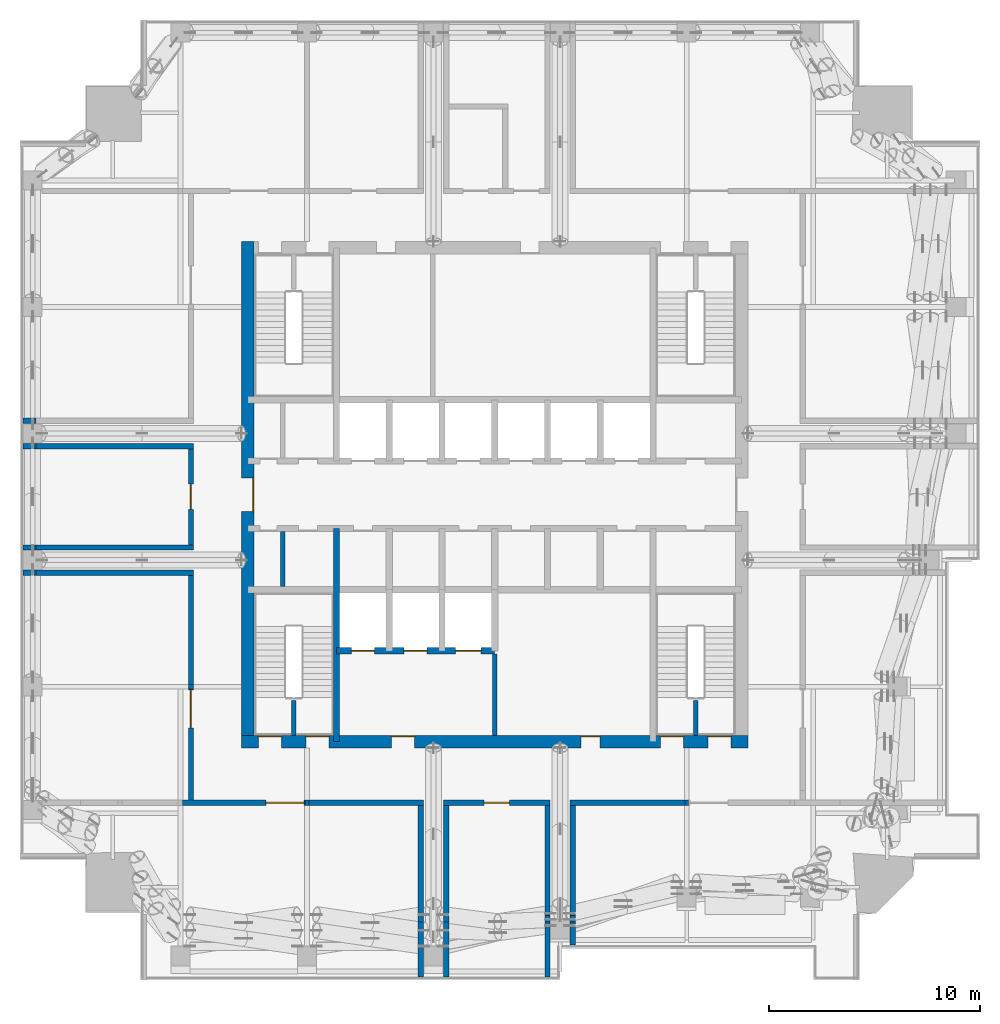
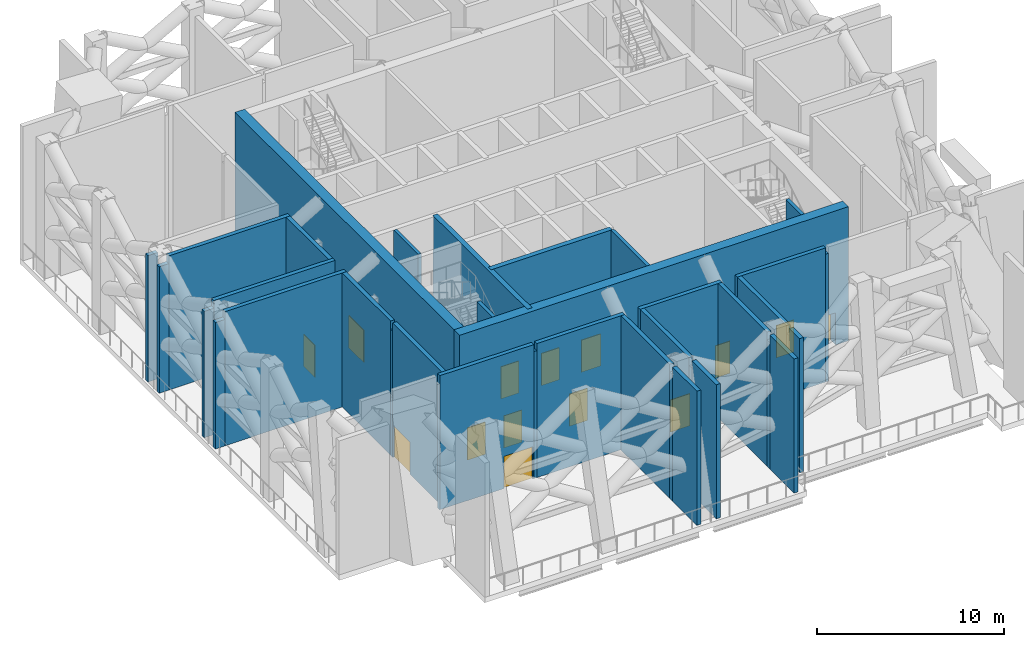
# One storey, part 7 of 18: 37 walls, 14 doors, 14 openings.
"""IFC4 building model written with IfcOpenShell, lengths in metres."""

from ifc_helpers import new_model, si_unit, direction, frame, frame_2d, origin, place, context, subcontext, project, spatial, rectangle, extrude, material, layer, layer_set, type_object, element, fill, save


model = new_model("IFC4")

# Units and contexts
model_context = context("Model", 3, precision=1e-05, world=origin(), true_north=direction((0.0, 1.0)))
body_context = subcontext(model_context, "Body", "Model", "MODEL_VIEW")
ifc_project = project(units=[si_unit("LENGTHUNIT", "METRE"), si_unit("AREAUNIT", "SQUARE_METRE"), si_unit("VOLUMEUNIT", "CUBIC_METRE"), si_unit("PLANEANGLEUNIT", "RADIAN"), si_unit("MASSUNIT", "GRAM", prefix="KILO")], contexts=[model_context])

# Site, building, storey
site_placement = place(None, origin())
site = spatial("IfcSite", under=ifc_project, at=site_placement, CompositionType="ELEMENT")
building_placement = place(site_placement, origin())
building = spatial("IfcBuilding", under=site, at=building_placement, Name="Amberfall Residences", CompositionType="ELEMENT")
storey_placement = place(building_placement, frame((0.0, 0.0, 229.89990234375)))
storey = spatial("IfcBuildingStorey", under=building, at=storey_placement, Name="L62", CompositionType="ELEMENT", Elevation=229.89990234375)

# Wall, opening, door
ifc_material_1 = material(Name="Reinforced concrete C40", Category="concrete")
ifc_layer_1 = layer(ifc_material_1, 0.25)
ifc_layer_set_1 = layer_set([ifc_layer_1], Name="Compartment wall 250")
wall_type_1 = type_object("IfcWallType", Name="Compartment wall 250", PredefinedType="SOLIDWALL", material=ifc_layer_set_1)
wall_1_placement = place(storey_placement, frame((59.70458984375, 30.89990234375, 0.0), z_axis=(0.0, 0.0, 1.0), x_axis=(1.0, 0.0, 0.0)))
wall_1 = element("IfcWall", 1, at=wall_1_placement, inside=storey, type_object=wall_type_1, Name="Compartment wall 250 L62 006", PredefinedType="SOLIDWALL", context=body_context, shape_type="SweptSolid", body=[
    extrude(rectangle(XDim=5.7998046875, YDim=0.25, at=frame_2d((2.89990234375, 0.0))), origin(), (0.0, 0.0, 1.0), 8.75),
])
opening_1_placement = place(wall_1_placement, frame((3.9453125, 0.0, 0.0)))
opening_1 = element("IfcOpeningElement", 2, at=opening_1_placement, cuts=wall_1, Name="Opening D13", PredefinedType="OPENING", context=body_context, shape_type="SweptSolid", body=[
    extrude(rectangle(XDim=1.800048828125, YDim=2.10009765625, at=frame_2d((0.89990234375, 1.050048828125))), frame((0.0, 0.135009765625, 0.0), z_axis=(0.0, -1.0, 0.0), x_axis=(1.0, 0.0, 0.0)), (0.0, 0.0, 1.0), 0.27001953125),
])
ifc_material_2 = material(Name="Steel fire door leaf", Category="steel")
door_type_1 = type_object("IfcDoorType", Name="Double fire door 1800x2100 FD60", OperationType="DOUBLE_DOOR_SINGLE_SWING", PredefinedType="DOOR", material=ifc_material_2)
door_1_placement = place(opening_1_placement, origin())
door_1 = element("IfcDoor", 3, at=door_1_placement, inside=storey, type_object=door_type_1, Name="Door Refuge area 1", OperationType="DOUBLE_DOOR_SINGLE_SWING", OverallHeight=2.10009765625, OverallWidth=1.800048828125, PredefinedType="DOOR", context=body_context, shape_type="SweptSolid", body=[
    extrude(rectangle(XDim=1.800048828125, YDim=2.10009765625, at=frame_2d((0.89990234375, 1.050048828125))), frame((0.0, 0.02490234375, 0.0), z_axis=(0.0, -1.0, 0.0), x_axis=(1.0, 0.0, 0.0)), (0.0, 0.0, 1.0), 0.050048828125),
])
fill(opening_1, door_1)

# Walls
wall_2_placement = place(storey_placement, frame((65.50439453125, 30.89990234375, 0.0), z_axis=(0.0, 0.0, 1.0), x_axis=(1.0, 0.0, 0.0)))
element("IfcWall", 4, at=wall_2_placement, inside=storey, type_object=wall_type_1, Name="Compartment wall 250 L62 007", PredefinedType="SOLIDWALL", context=body_context, shape_type="SweptSolid", body=[
    extrude(rectangle(XDim=0.19140625, YDim=0.25, at=frame_2d((0.095703125, 0.0))), origin(), (0.0, 0.0, 1.0), 8.2900390625),
])
wall_3_placement = place(storey_placement, frame((65.69580078125, 30.89990234375, 0.0), z_axis=(0.0, 0.0, 1.0), x_axis=(1.0, 0.0, 0.0)))
element("IfcWall", 5, at=wall_3_placement, inside=storey, type_object=wall_type_1, Name="Compartment wall 250 L62 008", PredefinedType="SOLIDWALL", context=body_context, shape_type="SweptSolid", body=[
    extrude(rectangle(XDim=5.42919921875, YDim=0.25, at=frame_2d((2.714599609375, 0.0))), origin(), (0.0, 0.0, 1.0), 8.75),
])

# Wall, opening, door
wall_4_placement = place(storey_placement, frame((72.074951171875, 30.89990234375, 0.0), z_axis=(0.0, 0.0, 1.0), x_axis=(1.0, 0.0, 0.0)))
wall_4 = element("IfcWall", 6, at=wall_4_placement, inside=storey, type_object=wall_type_1, Name="Compartment wall 250 L62 009", PredefinedType="SOLIDWALL", context=body_context, shape_type="SweptSolid", body=[
    extrude(rectangle(XDim=5.050048828125, YDim=0.25, at=frame_2d((2.52490234375, 0.0))), origin(), (0.0, 0.0, 1.0), 8.75),
])
opening_2_placement = place(wall_4_placement, frame((1.925048828125, 0.0, 0.0)))
opening_2 = element("IfcOpeningElement", 7, at=opening_2_placement, cuts=wall_4, Name="Opening D6", PredefinedType="OPENING", context=body_context, shape_type="SweptSolid", body=[
    extrude(rectangle(XDim=1.199951171875, YDim=2.10009765625, at=frame_2d((0.60009765625, 1.050048828125))), frame((0.0, 0.135009765625, 0.0), z_axis=(0.0, -1.0, 0.0), x_axis=(1.0, 0.0, 0.0)), (0.0, 0.0, 1.0), 0.27001953125),
])
door_type_2 = type_object("IfcDoorType", Name="Exit door 1200x2100", OperationType="SINGLE_SWING_LEFT", PredefinedType="DOOR", material=ifc_material_2)
door_2_placement = place(opening_2_placement, origin())
door_2 = element("IfcDoor", 8, at=door_2_placement, inside=storey, type_object=door_type_2, Name="Door Refuge area 2", OperationType="SINGLE_SWING_LEFT", OverallHeight=2.10009765625, OverallWidth=1.199951171875, PredefinedType="DOOR", context=body_context, shape_type="SweptSolid", body=[
    extrude(rectangle(XDim=1.199951171875, YDim=2.10009765625, at=frame_2d((0.60009765625, 1.050048828125))), frame((0.0, 0.02490234375, 0.0), z_axis=(0.0, -1.0, 0.0), x_axis=(1.0, 0.0, 0.0)), (0.0, 0.0, 1.0), 0.050048828125),
])
fill(opening_2, door_2)

# Walls
wall_5_placement = place(storey_placement, frame((78.074951171875, 30.89990234375, 0.0), z_axis=(0.0, 0.0, 1.0), x_axis=(1.0, 0.0, 0.0)))
element("IfcWall", 9, at=wall_5_placement, inside=storey, type_object=wall_type_1, Name="Compartment wall 250 L62 010", PredefinedType="SOLIDWALL", context=body_context, shape_type="SweptSolid", body=[
    extrude(rectangle(XDim=5.436279296875, YDim=0.25, at=frame_2d((2.71826171875, 0.0))), origin(), (0.0, 0.0, 1.0), 8.75),
])
wall_6_placement = place(storey_placement, frame((83.51123046875, 30.89990234375, 0.0), z_axis=(0.0, 0.0, 1.0), x_axis=(1.0, 0.0, 0.0)))
element("IfcWall", 10, at=wall_6_placement, inside=storey, type_object=wall_type_1, Name="Compartment wall 250 L62 011", PredefinedType="SOLIDWALL", context=body_context, shape_type="SweptSolid", body=[
    extrude(rectangle(XDim=0.177490234375, YDim=0.25, at=frame_2d((0.0888671875, 0.0))), origin(), (0.0, 0.0, 1.0), 8.34716796875),
])
wall_7_placement = place(storey_placement, frame((52.14990234375, 41.800048828125, 0.0), z_axis=(0.0, 0.0, 1.0), x_axis=(1.0, 0.0, 0.0)))
element("IfcWall", 11, at=wall_7_placement, inside=storey, type_object=wall_type_1, Name="Compartment wall 250 L62 017", PredefinedType="SOLIDWALL", context=body_context, shape_type="SweptSolid", body=[
    extrude(rectangle(XDim=0.60009765625, YDim=0.25, at=frame_2d((0.300048828125, 0.0))), origin(), (0.0, 0.0, 1.0), 8.25),
])
wall_8_placement = place(storey_placement, frame((52.75, 41.800048828125, 0.0), z_axis=(0.0, 0.0, 1.0), x_axis=(1.0, 0.0, 0.0)))
element("IfcWall", 12, at=wall_8_placement, inside=storey, type_object=wall_type_1, Name="Compartment wall 250 L62 018", PredefinedType="SOLIDWALL", context=body_context, shape_type="SweptSolid", body=[
    extrude(rectangle(XDim=7.47509765625, YDim=0.25, at=frame_2d((3.737548828125, 0.0))), origin(), (0.0, 0.0, 1.0), 8.75),
])
wall_9_placement = place(storey_placement, frame((52.14990234375, 43.0, 0.0), z_axis=(0.0, 0.0, 1.0), x_axis=(1.0, 0.0, 0.0)))
element("IfcWall", 13, at=wall_9_placement, inside=storey, type_object=wall_type_1, Name="Compartment wall 250 L62 022", PredefinedType="SOLIDWALL", context=body_context, shape_type="SweptSolid", body=[
    extrude(rectangle(XDim=0.60009765625, YDim=0.25, at=frame_2d((0.300048828125, 0.0))), origin(), (0.0, 0.0, 1.0), 8.25),
])
wall_10_placement = place(storey_placement, frame((52.75, 43.0, 0.0), z_axis=(0.0, 0.0, 1.0), x_axis=(1.0, 0.0, 0.0)))
element("IfcWall", 14, at=wall_10_placement, inside=storey, type_object=wall_type_1, Name="Compartment wall 250 L62 023", PredefinedType="SOLIDWALL", context=body_context, shape_type="SweptSolid", body=[
    extrude(rectangle(XDim=7.47509765625, YDim=0.25, at=frame_2d((3.737548828125, 0.0))), origin(), (0.0, 0.0, 1.0), 8.75),
])
wall_11_placement = place(storey_placement, frame((52.14990234375, 47.800048828125, 0.0), z_axis=(0.0, 0.0, 1.0), x_axis=(1.0, 0.0, 0.0)))
element("IfcWall", 15, at=wall_11_placement, inside=storey, type_object=wall_type_1, Name="Compartment wall 250 L62 027", PredefinedType="SOLIDWALL", context=body_context, shape_type="SweptSolid", body=[
    extrude(rectangle(XDim=0.60009765625, YDim=0.25, at=frame_2d((0.300048828125, 0.0))), origin(), (0.0, 0.0, 1.0), 8.25),
])
wall_12_placement = place(storey_placement, frame((52.75, 47.800048828125, 0.0), z_axis=(0.0, 0.0, 1.0), x_axis=(1.0, 0.0, 0.0)))
element("IfcWall", 16, at=wall_12_placement, inside=storey, type_object=wall_type_1, Name="Compartment wall 250 L62 028", PredefinedType="SOLIDWALL", context=body_context, shape_type="SweptSolid", body=[
    extrude(rectangle(XDim=7.47509765625, YDim=0.25, at=frame_2d((3.737548828125, 0.0))), origin(), (0.0, 0.0, 1.0), 8.75),
])
wall_13_placement = place(storey_placement, frame((52.14990234375, 49.0, 0.0), z_axis=(0.0, 0.0, 1.0), x_axis=(1.0, 0.0, 0.0)))
element("IfcWall", 17, at=wall_13_placement, inside=storey, type_object=wall_type_1, Name="Compartment wall 250 L62 032", PredefinedType="SOLIDWALL", context=body_context, shape_type="SweptSolid", body=[
    extrude(rectangle(XDim=0.60009765625, YDim=0.25, at=frame_2d((0.300048828125, 0.0))), origin(), (0.0, 0.0, 1.0), 8.25),
])

# Wall, opening, door
wall_14_placement = place(storey_placement, frame((60.10009765625, 31.02490234375, 0.0), z_axis=(0.0, 0.0, 1.0), x_axis=(0.0, 1.0, 0.0)))
wall_14 = element("IfcWall", 18, at=wall_14_placement, inside=storey, type_object=wall_type_1, Name="Compartment wall 250 L62 051", PredefinedType="SOLIDWALL", context=body_context, shape_type="SweptSolid", body=[
    extrude(rectangle(XDim=5.2705078125, YDim=0.25, at=frame_2d((2.63525390625, 0.0))), origin(), (0.0, 0.0, 1.0), 8.75),
])
opening_3_placement = place(wall_14_placement, frame((3.425048828125, 0.0, 0.0)))
opening_3 = element("IfcOpeningElement", 19, at=opening_3_placement, cuts=wall_14, Name="Opening D13", PredefinedType="OPENING", context=body_context, shape_type="SweptSolid", body=[
    extrude(rectangle(XDim=1.800048828125, YDim=2.10009765625, at=frame_2d((0.89990234375, 1.050048828125))), frame((0.0, 0.135009765625, 0.0), z_axis=(0.0, -1.0, 0.0), x_axis=(1.0, 0.0, 0.0)), (0.0, 0.0, 1.0), 0.27001953125),
])
door_3_placement = place(opening_3_placement, origin())
door_3 = element("IfcDoor", 20, at=door_3_placement, inside=storey, type_object=door_type_1, Name="Door Refuge area 8", OperationType="DOUBLE_DOOR_SINGLE_SWING", OverallHeight=2.10009765625, OverallWidth=1.800048828125, PredefinedType="DOOR", context=body_context, shape_type="SweptSolid", body=[
    extrude(rectangle(XDim=1.800048828125, YDim=2.10009765625, at=frame_2d((0.89990234375, 1.050048828125))), frame((0.0, 0.02490234375, 0.0), z_axis=(0.0, -1.0, 0.0), x_axis=(1.0, 0.0, 0.0)), (0.0, 0.0, 1.0), 0.050048828125),
])
fill(opening_3, door_3)

# Walls
wall_15_placement = place(storey_placement, frame((60.10009765625, 36.29541015625, 0.0), z_axis=(0.0, 0.0, 1.0), x_axis=(0.0, 1.0, 0.0)))
element("IfcWall", 21, at=wall_15_placement, inside=storey, type_object=wall_type_1, Name="Compartment wall 250 L62 052", PredefinedType="SOLIDWALL", context=body_context, shape_type="SweptSolid", body=[
    extrude(rectangle(XDim=0.209228515625, YDim=0.25, at=frame_2d((0.1044921875, 0.0))), origin(), (0.0, 0.0, 1.0), 8.217041015625),
])
wall_16_placement = place(storey_placement, frame((60.10009765625, 36.504638671875, 0.0), z_axis=(0.0, 0.0, 1.0), x_axis=(0.0, 1.0, 0.0)))
element("IfcWall", 22, at=wall_16_placement, inside=storey, type_object=wall_type_1, Name="Compartment wall 250 L62 053", PredefinedType="SOLIDWALL", context=body_context, shape_type="SweptSolid", body=[
    extrude(rectangle(XDim=5.17041015625, YDim=0.25, at=frame_2d((2.585205078125, 0.0))), origin(), (0.0, 0.0, 1.0), 8.75),
])

# Wall, opening, door
wall_17_placement = place(storey_placement, frame((60.10009765625, 43.125, 0.0), z_axis=(0.0, 0.0, 1.0), x_axis=(0.0, 1.0, 0.0)))
wall_17 = element("IfcWall", 23, at=wall_17_placement, inside=storey, type_object=wall_type_1, Name="Compartment wall 250 L62 054", PredefinedType="SOLIDWALL", context=body_context, shape_type="SweptSolid", body=[
    extrude(rectangle(XDim=4.550048828125, YDim=0.25, at=frame_2d((2.27490234375, 0.0))), origin(), (0.0, 0.0, 1.0), 8.75),
])
opening_4_placement = place(wall_17_placement, frame((1.675048828125, 0.0, 0.0)))
opening_4 = element("IfcOpeningElement", 24, at=opening_4_placement, cuts=wall_17, Name="Opening D6", PredefinedType="OPENING", context=body_context, shape_type="SweptSolid", body=[
    extrude(rectangle(XDim=1.199951171875, YDim=2.10009765625, at=frame_2d((0.60009765625, 1.050048828125))), frame((0.0, 0.135009765625, 0.0), z_axis=(0.0, -1.0, 0.0), x_axis=(1.0, 0.0, 0.0)), (0.0, 0.0, 1.0), 0.27001953125),
])
door_4_placement = place(opening_4_placement, origin())
door_4 = element("IfcDoor", 25, at=door_4_placement, inside=storey, type_object=door_type_2, Name="Door Refuge area 9", OperationType="SINGLE_SWING_LEFT", OverallHeight=2.10009765625, OverallWidth=1.199951171875, PredefinedType="DOOR", context=body_context, shape_type="SweptSolid", body=[
    extrude(rectangle(XDim=1.199951171875, YDim=2.10009765625, at=frame_2d((0.60009765625, 1.050048828125))), frame((0.0, 0.02490234375, 0.0), z_axis=(0.0, -1.0, 0.0), x_axis=(1.0, 0.0, 0.0)), (0.0, 0.0, 1.0), 0.050048828125),
])
fill(opening_4, door_4)

# Walls
wall_18_placement = place(storey_placement, frame((71.0, 22.64990234375, 0.0), z_axis=(0.0, 0.0, 1.0), x_axis=(0.0, 1.0, 0.0)))
element("IfcWall", 26, at=wall_18_placement, inside=storey, type_object=wall_type_1, Name="Compartment wall 250 L62 059", PredefinedType="SOLIDWALL", context=body_context, shape_type="SweptSolid", body=[
    extrude(rectangle(XDim=2.60009765625, YDim=0.25, at=frame_2d((1.300048828125, 0.0))), origin(), (0.0, 0.0, 1.0), 8.75),
])
wall_19_placement = place(storey_placement, frame((71.0, 25.25, 0.0), z_axis=(0.0, 0.0, 1.0), x_axis=(0.0, 1.0, 0.0)))
element("IfcWall", 27, at=wall_19_placement, inside=storey, type_object=wall_type_1, Name="Compartment wall 250 L62 060", PredefinedType="SOLIDWALL", context=body_context, shape_type="SweptSolid", body=[
    extrude(rectangle(XDim=0.300048828125, YDim=0.25, at=frame_2d((0.14990234375, 0.0))), origin(), (0.0, 0.0, 1.0), 8.25),
])
wall_20_placement = place(storey_placement, frame((71.0, 25.550048828125, 0.0), z_axis=(0.0, 0.0, 1.0), x_axis=(0.0, 1.0, 0.0)))
element("IfcWall", 28, at=wall_20_placement, inside=storey, type_object=wall_type_1, Name="Compartment wall 250 L62 061", PredefinedType="SOLIDWALL", context=body_context, shape_type="SweptSolid", body=[
    extrude(rectangle(XDim=5.224853515625, YDim=0.25, at=frame_2d((2.6123046875, 0.0))), origin(), (0.0, 0.0, 1.0), 8.75),
])
wall_21_placement = place(storey_placement, frame((72.199951171875, 22.64990234375, 0.0), z_axis=(0.0, 0.0, 1.0), x_axis=(0.0, 1.0, 0.0)))
element("IfcWall", 29, at=wall_21_placement, inside=storey, type_object=wall_type_1, Name="Compartment wall 250 L62 064", PredefinedType="SOLIDWALL", context=body_context, shape_type="SweptSolid", body=[
    extrude(rectangle(XDim=2.60009765625, YDim=0.25, at=frame_2d((1.300048828125, 0.0))), origin(), (0.0, 0.0, 1.0), 8.75),
])
wall_22_placement = place(storey_placement, frame((72.199951171875, 25.25, 0.0), z_axis=(0.0, 0.0, 1.0), x_axis=(0.0, 1.0, 0.0)))
element("IfcWall", 30, at=wall_22_placement, inside=storey, type_object=wall_type_1, Name="Compartment wall 250 L62 065", PredefinedType="SOLIDWALL", context=body_context, shape_type="SweptSolid", body=[
    extrude(rectangle(XDim=0.300048828125, YDim=0.25, at=frame_2d((0.14990234375, 0.0))), origin(), (0.0, 0.0, 1.0), 8.25),
])
wall_23_placement = place(storey_placement, frame((72.199951171875, 25.550048828125, 0.0), z_axis=(0.0, 0.0, 1.0), x_axis=(0.0, 1.0, 0.0)))
element("IfcWall", 31, at=wall_23_placement, inside=storey, type_object=wall_type_1, Name="Compartment wall 250 L62 066", PredefinedType="SOLIDWALL", context=body_context, shape_type="SweptSolid", body=[
    extrude(rectangle(XDim=5.224853515625, YDim=0.25, at=frame_2d((2.6123046875, 0.0))), origin(), (0.0, 0.0, 1.0), 8.75),
])
wall_24_placement = place(storey_placement, frame((77.0, 22.64990234375, 0.0), z_axis=(0.0, 0.0, 1.0), x_axis=(0.0, 1.0, 0.0)))
element("IfcWall", 32, at=wall_24_placement, inside=storey, type_object=wall_type_1, Name="Compartment wall 250 L62 070", PredefinedType="SOLIDWALL", context=body_context, shape_type="SweptSolid", body=[
    extrude(rectangle(XDim=2.60009765625, YDim=0.25, at=frame_2d((1.300048828125, 0.0))), origin(), (0.0, 0.0, 1.0), 8.75),
])
wall_25_placement = place(storey_placement, frame((77.0, 25.25, 0.0), z_axis=(0.0, 0.0, 1.0), x_axis=(0.0, 1.0, 0.0)))
element("IfcWall", 33, at=wall_25_placement, inside=storey, type_object=wall_type_1, Name="Compartment wall 250 L62 071", PredefinedType="SOLIDWALL", context=body_context, shape_type="SweptSolid", body=[
    extrude(rectangle(XDim=0.300048828125, YDim=0.25, at=frame_2d((0.14990234375, 0.0))), origin(), (0.0, 0.0, 1.0), 8.25),
])
wall_26_placement = place(storey_placement, frame((77.0, 25.550048828125, 0.0), z_axis=(0.0, 0.0, 1.0), x_axis=(0.0, 1.0, 0.0)))
element("IfcWall", 34, at=wall_26_placement, inside=storey, type_object=wall_type_1, Name="Compartment wall 250 L62 072", PredefinedType="SOLIDWALL", context=body_context, shape_type="SweptSolid", body=[
    extrude(rectangle(XDim=5.224853515625, YDim=0.25, at=frame_2d((2.6123046875, 0.0))), origin(), (0.0, 0.0, 1.0), 8.75),
])
wall_27_placement = place(storey_placement, frame((78.199951171875, 24.14990234375, 0.0), z_axis=(0.0, 0.0, 1.0), x_axis=(0.0, 1.0, 0.0)))
element("IfcWall", 35, at=wall_27_placement, inside=storey, type_object=wall_type_1, Name="Compartment wall 250 L62 075", PredefinedType="SOLIDWALL", context=body_context, shape_type="SweptSolid", body=[
    extrude(rectangle(XDim=1.10009765625, YDim=0.25, at=frame_2d((0.550048828125, 0.0))), origin(), (0.0, 0.0, 1.0), 8.75),
])
wall_28_placement = place(storey_placement, frame((78.199951171875, 25.25, 0.0), z_axis=(0.0, 0.0, 1.0), x_axis=(0.0, 1.0, 0.0)))
element("IfcWall", 36, at=wall_28_placement, inside=storey, type_object=wall_type_1, Name="Compartment wall 250 L62 076", PredefinedType="SOLIDWALL", context=body_context, shape_type="SweptSolid", body=[
    extrude(rectangle(XDim=0.300048828125, YDim=0.25, at=frame_2d((0.14990234375, 0.0))), origin(), (0.0, 0.0, 1.0), 8.25),
])
wall_29_placement = place(storey_placement, frame((78.199951171875, 25.550048828125, 0.0), z_axis=(0.0, 0.0, 1.0), x_axis=(0.0, 1.0, 0.0)))
element("IfcWall", 37, at=wall_29_placement, inside=storey, type_object=wall_type_1, Name="Compartment wall 250 L62 077", PredefinedType="SOLIDWALL", context=body_context, shape_type="SweptSolid", body=[
    extrude(rectangle(XDim=5.224853515625, YDim=0.25, at=frame_2d((2.6123046875, 0.0))), origin(), (0.0, 0.0, 1.0), 8.75),
])
ifc_material_3 = material(Name="Concrete C55", Category="concrete")
ifc_layer_2 = layer(ifc_material_3, 0.300048828125)
ifc_layer_set_2 = layer_set([ifc_layer_2], Name="Core wall 300 C55")
wall_type_2 = type_object("IfcWallType", Name="Core wall 300 C55", PredefinedType="SHEAR", material=ifc_layer_set_2)
wall_30_placement = place(storey_placement, frame((67.0, 33.800048828125, 0.0), z_axis=(0.0, 0.0, 1.0), x_axis=(0.0, 1.0, 0.0)))
element("IfcWall", 38, at=wall_30_placement, inside=storey, type_object=wall_type_2, Name="Core wall RW8 L62 V45S", PredefinedType="SHEAR", context=body_context, shape_type="SweptSolid", body=[
    extrude(rectangle(XDim=10.099853515625, YDim=0.300048828125, at=frame_2d((5.0498046875, 0.0))), origin(), (0.0, 0.0, 1.0), 8.75),
])

# Wall, openings, doors
wall_31_placement = place(storey_placement, frame((67.0, 38.10009765625, 0.0), z_axis=(0.0, 0.0, 1.0), x_axis=(1.0, 0.0, 0.0)))
wall_31 = element("IfcWall", 39, at=wall_31_placement, inside=storey, type_object=wall_type_2, Name="Core wall RW8 L62 FFF", PredefinedType="SHEAR", context=body_context, shape_type="SweptSolid", body=[
    extrude(rectangle(XDim=7.5, YDim=0.300048828125, at=frame_2d((3.75, 0.0))), origin(), (0.0, 0.0, 1.0), 8.75),
])
opening_5_placement = place(wall_31_placement, frame((0.699951171875, 0.0, 0.0)))
opening_5 = element("IfcOpeningElement", 40, at=opening_5_placement, cuts=wall_31, Name="Opening LD2", PredefinedType="OPENING", context=body_context, shape_type="SweptSolid", body=[
    extrude(rectangle(XDim=1.10009765625, YDim=2.10009765625, at=frame_2d((0.550048828125, 1.050048828125))), frame((0.0, 0.159912109375, 0.0), z_axis=(0.0, -1.0, 0.0), x_axis=(1.0, 0.0, 0.0)), (0.0, 0.0, 1.0), 0.320068359375),
])
opening_6_placement = place(wall_31_placement, frame((3.199951171875, 0.0, 0.0)))
opening_6 = element("IfcOpeningElement", 41, at=opening_6_placement, cuts=wall_31, Name="Opening LD2", PredefinedType="OPENING", context=body_context, shape_type="SweptSolid", body=[
    extrude(rectangle(XDim=1.10009765625, YDim=2.10009765625, at=frame_2d((0.550048828125, 1.050048828125))), frame((0.0, 0.159912109375, 0.0), z_axis=(0.0, -1.0, 0.0), x_axis=(1.0, 0.0, 0.0)), (0.0, 0.0, 1.0), 0.320068359375),
])
opening_7_placement = place(wall_31_placement, frame((5.64990234375, 0.0, 0.0)))
opening_7 = element("IfcOpeningElement", 42, at=opening_7_placement, cuts=wall_31, Name="Opening LD3", PredefinedType="OPENING", context=body_context, shape_type="SweptSolid", body=[
    extrude(rectangle(XDim=1.199951171875, YDim=2.10009765625, at=frame_2d((0.60009765625, 1.050048828125))), frame((0.0, 0.159912109375, 0.0), z_axis=(0.0, -1.0, 0.0), x_axis=(1.0, 0.0, 0.0)), (0.0, 0.0, 1.0), 0.320068359375),
])
ifc_material_4 = material(Name="Steel fire door set", Category="steel")
door_type_3 = type_object("IfcDoorType", Name="Firefighting lift landing door 1100 x 2100", OperationType="DOUBLE_DOOR_SLIDING", PredefinedType="DOOR", material=ifc_material_4)
door_5_placement = place(opening_5_placement, origin())
door_5 = element("IfcDoor", 43, at=door_5_placement, inside=storey, type_object=door_type_3, Name="Landing door FF1 L62", OperationType="DOUBLE_DOOR_SLIDING", OverallHeight=2.10009765625, OverallWidth=1.10009765625, PredefinedType="DOOR", context=body_context, shape_type="SweptSolid", body=[
    extrude(rectangle(XDim=1.10009765625, YDim=2.10009765625, at=frame_2d((0.550048828125, 1.050048828125))), frame((0.0, 0.02490234375, 0.0), z_axis=(0.0, -1.0, 0.0), x_axis=(1.0, 0.0, 0.0)), (0.0, 0.0, 1.0), 0.050048828125),
])
fill(opening_5, door_5)
door_6_placement = place(opening_6_placement, origin())
door_6 = element("IfcDoor", 44, at=door_6_placement, inside=storey, type_object=door_type_3, Name="Landing door FF2 L62", OperationType="DOUBLE_DOOR_SLIDING", OverallHeight=2.10009765625, OverallWidth=1.10009765625, PredefinedType="DOOR", context=body_context, shape_type="SweptSolid", body=[
    extrude(rectangle(XDim=1.10009765625, YDim=2.10009765625, at=frame_2d((0.550048828125, 1.050048828125))), frame((0.0, 0.02490234375, 0.0), z_axis=(0.0, -1.0, 0.0), x_axis=(1.0, 0.0, 0.0)), (0.0, 0.0, 1.0), 0.050048828125),
])
fill(opening_6, door_6)
door_type_4 = type_object("IfcDoorType", Name="Service lift landing door 1200 x 2100", OperationType="DOUBLE_DOOR_SLIDING", PredefinedType="DOOR", material=ifc_material_4)
door_7_placement = place(opening_7_placement, origin())
door_7 = element("IfcDoor", 45, at=door_7_placement, inside=storey, type_object=door_type_4, Name="Landing door SL1 L62", OperationType="DOUBLE_DOOR_SLIDING", OverallHeight=2.10009765625, OverallWidth=1.199951171875, PredefinedType="DOOR", context=body_context, shape_type="SweptSolid", body=[
    extrude(rectangle(XDim=1.199951171875, YDim=2.10009765625, at=frame_2d((0.60009765625, 1.050048828125))), frame((0.0, 0.02490234375, 0.0), z_axis=(0.0, -1.0, 0.0), x_axis=(1.0, 0.0, 0.0)), (0.0, 0.0, 1.0), 0.050048828125),
])
fill(opening_7, door_7)

ifc_layer_3 = layer(ifc_material_3, 0.60009765625)
ifc_layer_set_3 = layer_set([ifc_layer_3], Name="Core wall 600 C55")
wall_type_3 = type_object("IfcWallType", Name="Core wall 600 C55", PredefinedType="SHEAR", material=ifc_layer_set_3)
wall_32_placement = place(storey_placement, frame((62.5, 33.800048828125, 0.0), z_axis=(0.0, 0.0, 1.0), x_axis=(1.0, 0.0, 0.0)))
wall_32 = element("IfcWall", 46, at=wall_32_placement, inside=storey, type_object=wall_type_3, Name="Core wall RW7 L62 OS", PredefinedType="SHEAR", context=body_context, shape_type="SweptSolid", body=[
    extrude(rectangle(XDim=24.0, YDim=0.60009765625, at=frame_2d((12.0, 0.0))), origin(), (0.0, 0.0, 1.0), 8.75),
])
opening_8_placement = place(wall_32_placement, frame((3.050048828125, 0.0, 0.0)))
opening_8 = element("IfcOpeningElement", 47, at=opening_8_placement, cuts=wall_32, Name="Opening SD1", PredefinedType="OPENING", context=body_context, shape_type="SweptSolid", body=[
    extrude(rectangle(XDim=1.10009765625, YDim=2.10009765625, at=frame_2d((0.550048828125, 1.050048828125))), frame((0.0, 0.31005859375, 0.0), z_axis=(0.0, -1.0, 0.0), x_axis=(1.0, 0.0, 0.0)), (0.0, 0.0, 1.0), 0.6201171875),
])
opening_9_placement = place(wall_32_placement, frame((0.800048828125, 0.0, 0.0)))
opening_9 = element("IfcOpeningElement", 48, at=opening_9_placement, cuts=wall_32, Name="Opening SD1", PredefinedType="OPENING", context=body_context, shape_type="SweptSolid", body=[
    extrude(rectangle(XDim=1.10009765625, YDim=2.10009765625, at=frame_2d((0.550048828125, 1.050048828125))), frame((0.0, 0.31005859375, 0.0), z_axis=(0.0, -1.0, 0.0), x_axis=(1.0, 0.0, 0.0)), (0.0, 0.0, 1.0), 0.6201171875),
])
opening_10_placement = place(wall_32_placement, frame((22.10009765625, 0.0, 0.0)))
opening_10 = element("IfcOpeningElement", 49, at=opening_10_placement, cuts=wall_32, Name="Opening SD1", PredefinedType="OPENING", context=body_context, shape_type="SweptSolid", body=[
    extrude(rectangle(XDim=1.10009765625, YDim=2.10009765625, at=frame_2d((0.550048828125, 1.050048828125))), frame((0.0, 0.31005859375, 0.0), z_axis=(0.0, -1.0, 0.0), x_axis=(1.0, 0.0, 0.0)), (0.0, 0.0, 1.0), 0.6201171875),
])
opening_11_placement = place(wall_32_placement, frame((19.85009765625, 0.0, 0.0)))
opening_11 = element("IfcOpeningElement", 50, at=opening_11_placement, cuts=wall_32, Name="Opening SD1", PredefinedType="OPENING", context=body_context, shape_type="SweptSolid", body=[
    extrude(rectangle(XDim=1.10009765625, YDim=2.10009765625, at=frame_2d((0.550048828125, 1.050048828125))), frame((0.0, 0.31005859375, 0.0), z_axis=(0.0, -1.0, 0.0), x_axis=(1.0, 0.0, 0.0)), (0.0, 0.0, 1.0), 0.6201171875),
])
opening_12_placement = place(wall_32_placement, frame((7.10009765625, 0.0, 0.0)))
opening_12 = element("IfcOpeningElement", 51, at=opening_12_placement, cuts=wall_32, Name="Opening FL1", PredefinedType="OPENING", context=body_context, shape_type="SweptSolid", body=[
    extrude(rectangle(XDim=1.10009765625, YDim=2.10009765625, at=frame_2d((0.550048828125, 1.050048828125))), frame((0.0, 0.31005859375, 0.0), z_axis=(0.0, -1.0, 0.0), x_axis=(1.0, 0.0, 0.0)), (0.0, 0.0, 1.0), 0.6201171875),
])
opening_13_placement = place(wall_32_placement, frame((16.10009765625, 0.0, 0.0)))
opening_13 = element("IfcOpeningElement", 52, at=opening_13_placement, cuts=wall_32, Name="Opening RD1", PredefinedType="OPENING", context=body_context, shape_type="SweptSolid", body=[
    extrude(rectangle(XDim=0.89990234375, YDim=2.10009765625, at=frame_2d((0.449951171875, 1.050048828125))), frame((0.0, 0.31005859375, 0.0), z_axis=(0.0, -1.0, 0.0), x_axis=(1.0, 0.0, 0.0)), (0.0, 0.0, 1.0), 0.6201171875),
])
door_type_5 = type_object("IfcDoorType", Name="Firefighting lobby door 1100 x 2100", OperationType="SINGLE_SWING_LEFT", PredefinedType="DOOR", material=ifc_material_4)
door_8_placement = place(opening_12_placement, origin())
door_8 = element("IfcDoor", 53, at=door_8_placement, inside=storey, type_object=door_type_5, Name="FL1 L62", OperationType="SINGLE_SWING_LEFT", OverallHeight=2.10009765625, OverallWidth=1.10009765625, PredefinedType="DOOR", context=body_context, shape_type="SweptSolid", body=[
    extrude(rectangle(XDim=1.10009765625, YDim=2.10009765625, at=frame_2d((0.550048828125, 1.050048828125))), frame((0.0, 0.28759765625, 0.0), z_axis=(0.0, -1.0, 0.0), x_axis=(1.0, 0.0, 0.0)), (0.0, 0.0, 1.0), 0.050048828125),
])
fill(opening_12, door_8)
door_type_6 = type_object("IfcDoorType", Name="Service room door 900 x 2100", OperationType="SINGLE_SWING_LEFT", PredefinedType="DOOR", material=ifc_material_4)
door_9_placement = place(opening_13_placement, origin())
door_9 = element("IfcDoor", 54, at=door_9_placement, inside=storey, type_object=door_type_6, Name="RD1 L62", OperationType="SINGLE_SWING_LEFT", OverallHeight=2.10009765625, OverallWidth=0.89990234375, PredefinedType="DOOR", context=body_context, shape_type="SweptSolid", body=[
    extrude(rectangle(XDim=0.89990234375, YDim=2.10009765625, at=frame_2d((0.449951171875, 1.050048828125))), frame((0.0, 0.28759765625, 0.0), z_axis=(0.0, -1.0, 0.0), x_axis=(1.0, 0.0, 0.0)), (0.0, 0.0, 1.0), 0.050048828125),
])
fill(opening_13, door_9)
door_type_7 = type_object("IfcDoorType", Name="Stair door 1100 x 2100", OperationType="SINGLE_SWING_LEFT", PredefinedType="DOOR", material=ifc_material_4)
door_10_placement = place(opening_8_placement, origin())
door_10 = element("IfcDoor", 55, at=door_10_placement, inside=storey, type_object=door_type_7, Name="SD1 L62", OperationType="SINGLE_SWING_LEFT", OverallHeight=2.10009765625, OverallWidth=1.10009765625, PredefinedType="DOOR", context=body_context, shape_type="SweptSolid", body=[
    extrude(rectangle(XDim=1.10009765625, YDim=2.10009765625, at=frame_2d((0.550048828125, 1.050048828125))), frame((0.0, 0.28759765625, 0.0), z_axis=(0.0, -1.0, 0.0), x_axis=(1.0, 0.0, 0.0)), (0.0, 0.0, 1.0), 0.050048828125),
])
fill(opening_8, door_10)
door_11_placement = place(opening_9_placement, origin())
door_11 = element("IfcDoor", 56, at=door_11_placement, inside=storey, type_object=door_type_7, Name="SD1 L62", OperationType="SINGLE_SWING_LEFT", OverallHeight=2.10009765625, OverallWidth=1.10009765625, PredefinedType="DOOR", context=body_context, shape_type="SweptSolid", body=[
    extrude(rectangle(XDim=1.10009765625, YDim=2.10009765625, at=frame_2d((0.550048828125, 1.050048828125))), frame((0.0, 0.28759765625, 0.0), z_axis=(0.0, -1.0, 0.0), x_axis=(1.0, 0.0, 0.0)), (0.0, 0.0, 1.0), 0.050048828125),
])
fill(opening_9, door_11)
door_12_placement = place(opening_10_placement, origin())
door_12 = element("IfcDoor", 57, at=door_12_placement, inside=storey, type_object=door_type_7, Name="SD1 L62", OperationType="SINGLE_SWING_RIGHT", OverallHeight=2.10009765625, OverallWidth=1.10009765625, PredefinedType="DOOR", context=body_context, shape_type="SweptSolid", body=[
    extrude(rectangle(XDim=1.10009765625, YDim=2.10009765625, at=frame_2d((0.550048828125, 1.050048828125))), frame((0.0, 0.28759765625, 0.0), z_axis=(0.0, -1.0, 0.0), x_axis=(1.0, 0.0, 0.0)), (0.0, 0.0, 1.0), 0.050048828125),
])
fill(opening_10, door_12)
door_13_placement = place(opening_11_placement, origin())
door_13 = element("IfcDoor", 58, at=door_13_placement, inside=storey, type_object=door_type_7, Name="SD1 L62", OperationType="SINGLE_SWING_RIGHT", OverallHeight=2.10009765625, OverallWidth=1.10009765625, PredefinedType="DOOR", context=body_context, shape_type="SweptSolid", body=[
    extrude(rectangle(XDim=1.10009765625, YDim=2.10009765625, at=frame_2d((0.550048828125, 1.050048828125))), frame((0.0, 0.28759765625, 0.0), z_axis=(0.0, -1.0, 0.0), x_axis=(1.0, 0.0, 0.0)), (0.0, 0.0, 1.0), 0.050048828125),
])
fill(opening_11, door_13)

# Wall, opening, door
wall_33_placement = place(storey_placement, frame((62.800048828125, 33.5, 0.0), z_axis=(0.0, 0.0, 1.0), x_axis=(0.0, 1.0, 0.0)))
wall_33 = element("IfcWall", 59, at=wall_33_placement, inside=storey, type_object=wall_type_3, Name="Core wall RW7 L62 OW", PredefinedType="SHEAR", context=body_context, shape_type="SweptSolid", body=[
    extrude(rectangle(XDim=24.0, YDim=0.60009765625, at=frame_2d((12.0, 0.0))), origin(), (0.0, 0.0, 1.0), 8.75),
])
opening_14_placement = place(wall_33_placement, frame((11.199951171875, 0.0, 0.0)))
opening_14 = element("IfcOpeningElement", 60, at=opening_14_placement, cuts=wall_33, Name="Opening LB1", PredefinedType="OPENING", context=body_context, shape_type="SweptSolid", body=[
    extrude(rectangle(XDim=1.60009765625, YDim=2.10009765625, at=frame_2d((0.800048828125, 1.050048828125))), frame((0.0, 0.31005859375, 0.0), z_axis=(0.0, -1.0, 0.0), x_axis=(1.0, 0.0, 0.0)), (0.0, 0.0, 1.0), 0.6201171875),
])
door_type_8 = type_object("IfcDoorType", Name="Lift lobby double door 1600 x 2100", OperationType="DOUBLE_DOOR_SINGLE_SWING", PredefinedType="DOOR", material=ifc_material_4)
door_14_placement = place(opening_14_placement, origin())
door_14 = element("IfcDoor", 61, at=door_14_placement, inside=storey, type_object=door_type_8, Name="LB1 L62", OperationType="DOUBLE_DOOR_SINGLE_SWING", OverallHeight=2.10009765625, OverallWidth=1.60009765625, PredefinedType="DOOR", context=body_context, shape_type="SweptSolid", body=[
    extrude(rectangle(XDim=1.60009765625, YDim=2.10009765625, at=frame_2d((0.800048828125, 1.050048828125))), frame((0.0, -0.2373046875, 0.0), z_axis=(0.0, -1.0, 0.0), x_axis=(1.0, 0.0, 0.0)), (0.0, 0.0, 1.0), 0.050048828125),
])
fill(opening_14, door_14)

# Walls
ifc_material_5 = material(Name="Concrete blockwork", Category="masonry")
ifc_layer_4 = layer(ifc_material_5, 0.199951171875)
ifc_layer_set_4 = layer_set([ifc_layer_4], Name="Riser wall 200")
wall_type_4 = type_object("IfcWallType", Name="Riser wall 200", PredefinedType="PLUMBINGWALL", material=ifc_layer_set_4)
wall_34_placement = place(storey_placement, frame((74.5, 34.10009765625, 0.0), z_axis=(0.0, 0.0, 1.0), x_axis=(0.0, 1.0, 0.0)))
element("IfcWall", 62, at=wall_34_placement, inside=storey, type_object=wall_type_4, Name="L62 core wall PX", PredefinedType="PLUMBINGWALL", context=body_context, shape_type="SweptSolid", body=[
    extrude(rectangle(XDim=3.849853515625, YDim=0.199951171875, at=frame_2d((1.9248046875, 0.0))), origin(), (0.0, 0.0, 1.0), 8.75),
])
wall_35_placement = place(storey_placement, frame((64.449951171875, 41.14990234375, 0.0), z_axis=(0.0, 0.0, 1.0), x_axis=(0.0, 1.0, 0.0)))
element("IfcWall", 63, at=wall_35_placement, inside=storey, type_object=wall_type_4, Name="L62 core wall ASW0", PredefinedType="PLUMBINGWALL", context=body_context, shape_type="SweptSolid", body=[
    extrude(rectangle(XDim=2.60009765625, YDim=0.199951171875, at=frame_2d((1.300048828125, 0.0))), origin(), (0.0, 0.0, 1.0), 8.75),
])
ifc_material_6 = material(Name="Concrete C40", Category="concrete")
ifc_layer_5 = layer(ifc_material_6, 0.199951171875)
ifc_layer_set_5 = layer_set([ifc_layer_5], Name="Stair separating wall 200")
wall_type_5 = type_object("IfcWallType", Name="Stair separating wall 200", PredefinedType="SHEAR", material=ifc_layer_set_5)
for number, where, z_axis, x_axis, name in (
    (64, (64.97509765625, 34.10009765625, 0.0), (0.0, 0.0, 1.0), (0.0, 1.0, 0.0), "L62 stair 1 separating wall"),
    (65, (84.02490234375, 34.10009765625, 0.0), (0.0, 0.0, 1.0), (0.0, 1.0, 0.0), "L62 stair 2 separating wall"),
):
    element("IfcWall", number, at=place(storey_placement, frame(where, z_axis=z_axis, x_axis=x_axis)), inside=storey, type_object=wall_type_5, Name=name, PredefinedType="SHEAR", context=body_context, shape_type="SweptSolid", body=[
        extrude(rectangle(XDim=1.64990234375, YDim=0.199951171875, at=frame_2d((0.824951171875, 0.0))), origin(), (0.0, 0.0, 1.0), 8.75),
    ])

save(model, "model.ifc")
